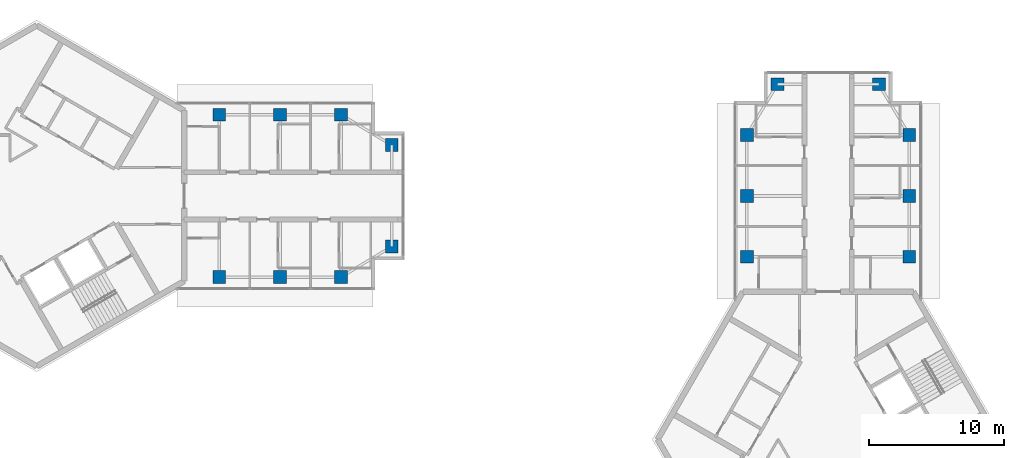
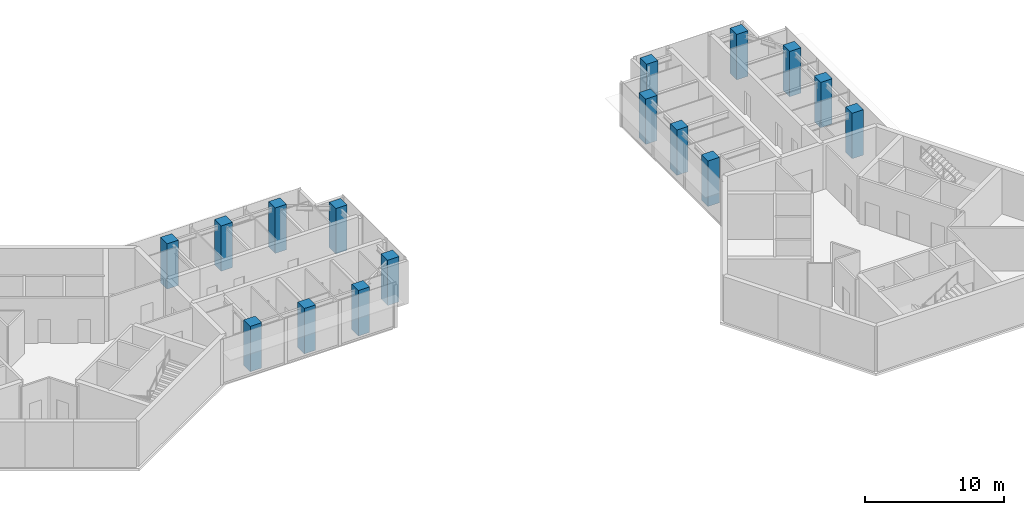
# One storey, part 1 of 11: 16 columns.
"""IFC4 building model written with IfcOpenShell, lengths in metres."""

from ifc_helpers import new_model, si_unit, direction, frame, origin, origin_2d, place, context, subcontext, project, spatial, rectangle, extrude, material, material_profile, profile_set, type_object, element, save


model = new_model("IFC4")

# Units and contexts
model_context = context("Model", 3, precision=1e-05, world=origin(), true_north=direction((0.0, 1.0)))
body_context = subcontext(model_context, "Body", "Model", "MODEL_VIEW")
ifc_project = project(units=[si_unit("LENGTHUNIT", "METRE"), si_unit("AREAUNIT", "SQUARE_METRE"), si_unit("VOLUMEUNIT", "CUBIC_METRE"), si_unit("PLANEANGLEUNIT", "RADIAN"), si_unit("MASSUNIT", "GRAM", prefix="KILO")], contexts=[model_context])

# Site, building, storey
site_placement = place(None, origin())
site = spatial("IfcSite", under=ifc_project, at=site_placement, CompositionType="ELEMENT")
building_placement = place(site_placement, origin())
building = spatial("IfcBuilding", under=site, at=building_placement, Name="Upepo Twin Towers", CompositionType="ELEMENT")
storey_placement = place(building_placement, frame((0.0, 0.0, 283.5)))
storey = spatial("IfcBuildingStorey", under=building, at=storey_placement, Name="L69", CompositionType="ELEMENT", Elevation=283.5)

# Columns
ifc_material = material(Name="Concrete C60/75", Category="concrete")
ifc_material_profile = material_profile(ifc_material, rectangle(XDim=0.949951171875, YDim=0.949951171875, at=origin_2d()), Name="RC 950x950")
ifc_profile_set = profile_set([ifc_material_profile], Name="Concrete C60/75")
column_type = type_object("IfcColumnType", Name="Tower column RC 950x950", PredefinedType="COLUMN", material=ifc_profile_set)
for number, where, z_axis, x_axis, name in (
    (1, (13.5, 6.0, 0.0), (0.0, 0.0, 1.0), (1.0, 0.0, 0.0), "T1 column AL135"),
    (2, (13.5, -6.0, 0.0), (0.0, 0.0, 1.0), (1.0, 0.0, 0.0), "T1 column AR135"),
    (3, (18.0, 6.0, 0.0), (0.0, 0.0, 1.0), (1.0, 0.0, 0.0), "T1 column AL180"),
    (4, (18.0, -6.0, 0.0), (0.0, 0.0, 1.0), (1.0, 0.0, 0.0), "T1 column AR180"),
    (5, (22.5, 6.0, 0.0), (0.0, 0.0, 1.0), (1.0, 0.0, 0.0), "T1 column AL225"),
    (6, (22.5, -6.0, 0.0), (0.0, 0.0, 1.0), (1.0, 0.0, 0.0), "T1 column AR225"),
    (7, (26.25, 3.75, 0.0), (0.0, 0.0, 1.0), (1.0, 0.0, 0.0), "T1 column ALN"),
    (8, (26.25, -3.75, 0.0), (0.0, 0.0, 1.0), (1.0, 0.0, 0.0), "T1 column ARN"),
    (9, (52.5, -4.5, 0.0), (0.0, 0.0, 1.0), (1.0, 0.0, 0.0), "T2 column AL135"),
    (10, (64.5, -4.5, 0.0), (0.0, 0.0, 1.0), (1.0, 0.0, 0.0), "T2 column AR135"),
    (11, (52.5, 0.0, 0.0), (0.0, 0.0, 1.0), (1.0, 0.0, 0.0), "T2 column AL180"),
    (12, (64.5, 0.0, 0.0), (0.0, 0.0, 1.0), (1.0, 0.0, 0.0), "T2 column AR180"),
    (13, (52.5, 4.5, 0.0), (0.0, 0.0, 1.0), (1.0, 0.0, 0.0), "T2 column AL225"),
    (14, (64.5, 4.5, 0.0), (0.0, 0.0, 1.0), (1.0, 0.0, 0.0), "T2 column AR225"),
    (15, (54.75, 8.25, 0.0), (0.0, 0.0, 1.0), (1.0, 0.0, 0.0), "T2 column ALN"),
    (16, (62.25, 8.25, 0.0), (0.0, 0.0, 1.0), (1.0, 0.0, 0.0), "T2 column ARN"),
):
    element("IfcColumn", number, at=place(storey_placement, frame(where, z_axis=z_axis, x_axis=x_axis)), inside=storey, type_object=column_type, Name=name, PredefinedType="COLUMN", context=body_context, shape_type="SweptSolid", body=[
        extrude(rectangle(XDim=0.949951171875, YDim=0.949951171875, at=origin_2d()), origin(), (0.0, 0.0, 1.0), 4.0),
    ])

save(model, "model.ifc")
